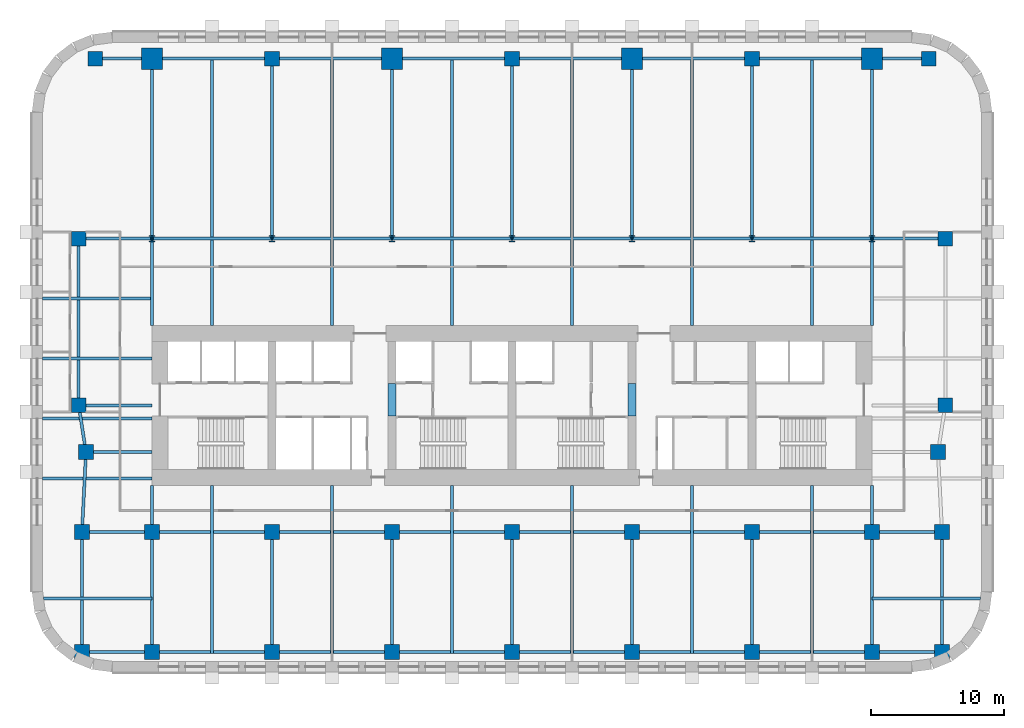
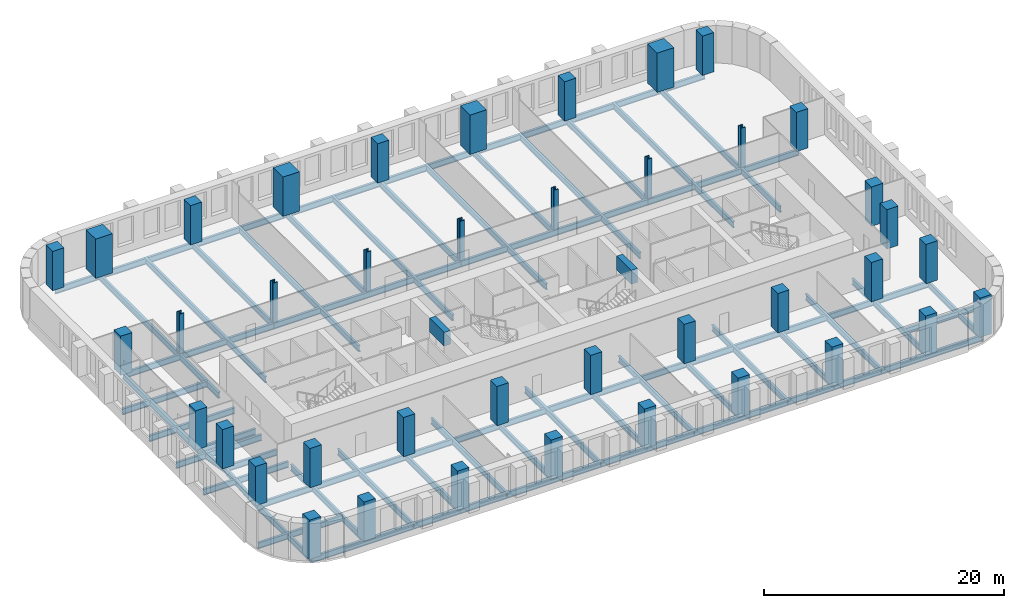
# One storey, part 1 of 11: 59 beams, 40 columns.
"""IFC4 building model written with IfcOpenShell, lengths in metres."""

from ifc_helpers import new_model, si_unit, direction, frame, origin, origin_2d, place, context, subcontext, project, spatial, rectangle, i_section, extrude, material, material_profile, profile_set, type_object, element, save


model = new_model("IFC4")

# Units and contexts
model_context = context("Model", 3, precision=1e-05, world=origin(), true_north=direction((0.0, 1.0)))
body_context = subcontext(model_context, "Body", "Model", "MODEL_VIEW")
ifc_project = project(units=[si_unit("LENGTHUNIT", "METRE"), si_unit("AREAUNIT", "SQUARE_METRE"), si_unit("VOLUMEUNIT", "CUBIC_METRE"), si_unit("PLANEANGLEUNIT", "RADIAN"), si_unit("MASSUNIT", "GRAM", prefix="KILO")], contexts=[model_context])

# Site, building, storey
site_placement = place(None, origin())
site = spatial("IfcSite", under=ifc_project, at=site_placement, CompositionType="ELEMENT")
building_placement = place(site_placement, origin())
building = spatial("IfcBuilding", under=site, at=building_placement, Name="Zellij Exchange Tower", CompositionType="ELEMENT")
storey_placement = place(building_placement, frame((0.0, 0.0, 72.5)))
storey = spatial("IfcBuildingStorey", under=building, at=storey_placement, Name="L14", CompositionType="ELEMENT", Elevation=72.5)

# Columns
ifc_material_1 = material(Name="Concrete C70/85", Category="concrete")
ifc_material_profile_1 = material_profile(ifc_material_1, rectangle(XDim=1.10009765625, YDim=1.10009765625, at=origin_2d()), Name="STR-COLUMN RC1100x1100 C70/85")
ifc_profile_set_1 = profile_set([ifc_material_profile_1], Name="Concrete C70/85")
column_type_1 = type_object("IfcColumnType", Name="STR-COLUMN RC1100x1100 C70/85", PredefinedType="COLUMN", material=ifc_profile_set_1)
for number, where, z_axis, x_axis, name in (
    (1, (-32.25, -26.5, 0.0), (0.0, 0.0, 1.0), (1.0, 0.0, 0.0), "C11"),
    (2, (-27.0, -26.5, 0.0), (0.0, 0.0, 1.0), (1.0, 0.0, 0.0), "C11"),
    (3, (-18.0, -26.5, 0.0), (0.0, 0.0, 1.0), (1.0, 0.0, 0.0), "C11"),
    (4, (-9.0, -26.5, 0.0), (0.0, 0.0, 1.0), (1.0, 0.0, 0.0), "C11"),
    (5, (0.0, -26.5, 0.0), (0.0, 0.0, 1.0), (1.0, 0.0, 0.0), "C11"),
    (6, (9.0, -26.5, 0.0), (0.0, 0.0, 1.0), (1.0, 0.0, 0.0), "C11"),
    (7, (18.0, -26.5, 0.0), (0.0, 0.0, 1.0), (1.0, 0.0, 0.0), "C11"),
    (8, (27.0, -26.5, 0.0), (0.0, 0.0, 1.0), (1.0, 0.0, 0.0), "C11"),
    (9, (32.25, -26.5, 0.0), (0.0, 0.0, 1.0), (1.0, 0.0, 0.0), "C11"),
    (10, (-32.25, -17.5, 0.0), (0.0, 0.0, 1.0), (1.0, 0.0, 0.0), "C11"),
    (11, (-27.0, -17.5, 0.0), (0.0, 0.0, 1.0), (1.0, 0.0, 0.0), "C11"),
    (12, (-18.0, -17.5, 0.0), (0.0, 0.0, 1.0), (1.0, 0.0, 0.0), "C11"),
    (13, (-9.0, -17.5, 0.0), (0.0, 0.0, 1.0), (1.0, 0.0, 0.0), "C11"),
    (14, (0.0, -17.5, 0.0), (0.0, 0.0, 1.0), (1.0, 0.0, 0.0), "C11"),
    (15, (9.0, -17.5, 0.0), (0.0, 0.0, 1.0), (1.0, 0.0, 0.0), "C11"),
    (16, (18.0, -17.5, 0.0), (0.0, 0.0, 1.0), (1.0, 0.0, 0.0), "C11"),
    (17, (27.0, -17.5, 0.0), (0.0, 0.0, 1.0), (1.0, 0.0, 0.0), "C11"),
    (18, (32.25, -17.5, 0.0), (0.0, 0.0, 1.0), (1.0, 0.0, 0.0), "C11"),
    (19, (-31.949951171875, -11.5, 0.0), (0.0, 0.0, 1.0), (1.0, 0.0, 0.0), "C11"),
    (20, (31.949951171875, -11.5, 0.0), (0.0, 0.0, 1.0), (1.0, 0.0, 0.0), "C11"),
    (21, (-32.5, -8.0, 0.0), (0.0, 0.0, 1.0), (1.0, 0.0, 0.0), "C11"),
    (22, (32.5, -8.0, 0.0), (0.0, 0.0, 1.0), (1.0, 0.0, 0.0), "C11"),
    (23, (-32.5, 4.5, 0.0), (0.0, 0.0, 1.0), (1.0, 0.0, 0.0), "C11"),
    (24, (32.5, 4.5, 0.0), (0.0, 0.0, 1.0), (1.0, 0.0, 0.0), "C11"),
    (25, (-31.25, 18.0, 0.0), (0.0, 0.0, 1.0), (1.0, 0.0, 0.0), "C11"),
    (26, (-18.0, 18.0, 0.0), (0.0, 0.0, 1.0), (1.0, 0.0, 0.0), "C11"),
    (27, (0.0, 18.0, 0.0), (0.0, 0.0, 1.0), (1.0, 0.0, 0.0), "C11"),
    (28, (18.0, 18.0, 0.0), (0.0, 0.0, 1.0), (1.0, 0.0, 0.0), "C11"),
    (29, (31.25, 18.0, 0.0), (0.0, 0.0, 1.0), (1.0, 0.0, 0.0), "C11"),
):
    element("IfcColumn", number, at=place(storey_placement, frame(where, z_axis=z_axis, x_axis=x_axis)), inside=storey, type_object=column_type_1, Name=name, PredefinedType="COLUMN", context=body_context, shape_type="SweptSolid", body=[
        extrude(rectangle(XDim=1.10009765625, YDim=1.10009765625, at=origin_2d()), origin(), (0.0, 0.0, 1.0), 4.0),
    ])
ifc_material_2 = material(Name="Structural steel ASTM A913 Gr 65", Category="steel")
ifc_material_profile_2 = material_profile(ifc_material_2, i_section(OverallWidth=0.431884765625, OverallDepth=0.497802734375, WebThickness=0.0556640625, FlangeThickness=0.0888671875, at=origin_2d()), Name="W14x500")
ifc_profile_set_2 = profile_set([ifc_material_profile_2], Name="Structural steel ASTM A913 Gr 65")
column_type_2 = type_object("IfcColumnType", Name="STR-COLUMN W14x500", PredefinedType="COLUMN", material=ifc_profile_set_2)
for number, where, z_axis, x_axis, name in (
    (30, (-27.0, 4.5, 0.0), (0.0, 0.0, 1.0), (1.0, 0.0, 0.0), "C5"),
    (31, (-18.0, 4.5, 0.0), (0.0, 0.0, 1.0), (1.0, 0.0, 0.0), "C5"),
    (32, (-9.0, 4.5, 0.0), (0.0, 0.0, 1.0), (1.0, 0.0, 0.0), "C5"),
    (33, (0.0, 4.5, 0.0), (0.0, 0.0, 1.0), (1.0, 0.0, 0.0), "C5"),
    (34, (9.0, 4.5, 0.0), (0.0, 0.0, 1.0), (1.0, 0.0, 0.0), "C5"),
    (35, (18.0, 4.5, 0.0), (0.0, 0.0, 1.0), (1.0, 0.0, 0.0), "C5"),
    (36, (27.0, 4.5, 0.0), (0.0, 0.0, 1.0), (1.0, 0.0, 0.0), "C5"),
):
    element("IfcColumn", number, at=place(storey_placement, frame(where, z_axis=z_axis, x_axis=x_axis)), inside=storey, type_object=column_type_2, Name=name, PredefinedType="COLUMN", context=body_context, shape_type="SweptSolid", body=[
        extrude(i_section(OverallWidth=0.431884765625, OverallDepth=0.497802734375, WebThickness=0.0556640625, FlangeThickness=0.0888671875, at=origin_2d()), origin(), (0.0, 0.0, 1.0), 4.0),
    ])
ifc_material_profile_3 = material_profile(ifc_material_1, rectangle(XDim=1.60009765625, YDim=1.60009765625, at=origin_2d()), Name="STR-MEGA COLUMN RC1600x1600 C70/85")
ifc_profile_set_3 = profile_set([ifc_material_profile_3], Name="Concrete C70/85")
column_type_3 = type_object("IfcColumnType", Name="STR-MEGA COLUMN RC1600x1600 C70/85", PredefinedType="COLUMN", material=ifc_profile_set_3)
for number, where, z_axis, x_axis, name in (
    (37, (-27.0, 18.0, 0.0), (0.0, 0.0, 1.0), (1.0, 0.0, 0.0), "MC6"),
    (38, (-9.0, 18.0, 0.0), (0.0, 0.0, 1.0), (1.0, 0.0, 0.0), "MC6"),
    (39, (9.0, 18.0, 0.0), (0.0, 0.0, 1.0), (1.0, 0.0, 0.0), "MC6"),
    (40, (27.0, 18.0, 0.0), (0.0, 0.0, 1.0), (1.0, 0.0, 0.0), "MC6"),
):
    element("IfcColumn", number, at=place(storey_placement, frame(where, z_axis=z_axis, x_axis=x_axis)), inside=storey, type_object=column_type_3, Name=name, PredefinedType="COLUMN", context=body_context, shape_type="SweptSolid", body=[
        extrude(rectangle(XDim=1.60009765625, YDim=1.60009765625, at=origin_2d()), origin(), (0.0, 0.0, 1.0), 4.0),
    ])

# Beams
ifc_material_profile_4 = material_profile(ifc_material_1, rectangle(XDim=0.60009765625, YDim=1.39990234375, at=origin_2d()), Name="CORE-CB 600x1400 C70/85")
ifc_profile_set_4 = profile_set([ifc_material_profile_4], Name="Concrete C70/85")
beam_type_1 = type_object("IfcBeamType", Name="CORE-CB 600x1400 C70/85", PredefinedType="BEAM", material=ifc_profile_set_4)
for number, where, z_axis, x_axis, name in (
    (41, (-9.0, -8.800048828125, 3.10009765625), (0.0, 1.0, 0.0), (-1.0, 0.0, 0.0), "Core coupling beam x -9 L14"),
    (42, (9.0, -8.800048828125, 3.10009765625), (0.0, 1.0, 0.0), (-1.0, 0.0, 0.0), "Core coupling beam x 9 L14"),
):
    element("IfcBeam", number, at=place(storey_placement, frame(where, z_axis=z_axis, x_axis=x_axis)), inside=storey, type_object=beam_type_1, Name=name, PredefinedType="BEAM", context=body_context, shape_type="SweptSolid", body=[
        extrude(rectangle(XDim=0.60009765625, YDim=1.39990234375, at=origin_2d()), origin(), (0.0, 0.0, 1.0), 2.425048828125),
    ])
ifc_material_3 = material(Name="Structural steel ASTM A992 Gr 50", Category="steel")
ifc_material_profile_5 = material_profile(ifc_material_3, i_section(OverallWidth=0.227783203125, OverallDepth=0.60205078125, WebThickness=0.010498046875, FlangeThickness=0.014892578125, at=origin_2d()), Name="W24x68")
ifc_profile_set_5 = profile_set([ifc_material_profile_5], Name="Structural steel ASTM A992 Gr 50")
beam_type_2 = type_object("IfcBeamType", Name="STR-BEAM W24x68", PredefinedType="BEAM", material=ifc_profile_set_5)
beam_1_placement = place(storey_placement, frame((-22.5, -26.614501953125, -0.5009765625), z_axis=(0.0, 1.0, 0.0), x_axis=(-1.0, 0.0, 0.0)))
element("IfcBeam", 43, at=beam_1_placement, inside=storey, type_object=beam_type_2, Name="B5", PredefinedType="BEAM", context=body_context, shape_type="SweptSolid", body=[
    extrude(i_section(OverallWidth=0.227783203125, OverallDepth=0.60205078125, WebThickness=0.010498046875, FlangeThickness=0.014892578125, at=origin_2d()), origin(), (0.0, 0.0, 1.0), 12.614501953125),
])
beam_2_placement = place(storey_placement, frame((-22.5, -2.0, -0.5009765625), z_axis=(0.0, 1.0, 0.0), x_axis=(-1.0, 0.0, 0.0)))
element("IfcBeam", 44, at=beam_2_placement, inside=storey, type_object=beam_type_2, Name="B5", PredefinedType="BEAM", context=body_context, shape_type="SweptSolid", body=[
    extrude(i_section(OverallWidth=0.227783203125, OverallDepth=0.60205078125, WebThickness=0.010498046875, FlangeThickness=0.014892578125, at=origin_2d()), origin(), (0.0, 0.0, 1.0), 20.114501953125),
])
beam_3_placement = place(storey_placement, frame((-13.5, -26.614501953125, -0.5009765625), z_axis=(0.0, 1.0, 0.0), x_axis=(-1.0, 0.0, 0.0)))
element("IfcBeam", 45, at=beam_3_placement, inside=storey, type_object=beam_type_2, Name="B5", PredefinedType="BEAM", context=body_context, shape_type="SweptSolid", body=[
    extrude(i_section(OverallWidth=0.227783203125, OverallDepth=0.60205078125, WebThickness=0.010498046875, FlangeThickness=0.014892578125, at=origin_2d()), origin(), (0.0, 0.0, 1.0), 12.614501953125),
])
beam_4_placement = place(storey_placement, frame((-13.5, -2.0, -0.5009765625), z_axis=(0.0, 1.0, 0.0), x_axis=(-1.0, 0.0, 0.0)))
element("IfcBeam", 46, at=beam_4_placement, inside=storey, type_object=beam_type_2, Name="B5", PredefinedType="BEAM", context=body_context, shape_type="SweptSolid", body=[
    extrude(i_section(OverallWidth=0.227783203125, OverallDepth=0.60205078125, WebThickness=0.010498046875, FlangeThickness=0.014892578125, at=origin_2d()), origin(), (0.0, 0.0, 1.0), 20.114501953125),
])
beam_5_placement = place(storey_placement, frame((-4.5, -26.614501953125, -0.5009765625), z_axis=(0.0, 1.0, 0.0), x_axis=(-1.0, 0.0, 0.0)))
element("IfcBeam", 47, at=beam_5_placement, inside=storey, type_object=beam_type_2, Name="B5", PredefinedType="BEAM", context=body_context, shape_type="SweptSolid", body=[
    extrude(i_section(OverallWidth=0.227783203125, OverallDepth=0.60205078125, WebThickness=0.010498046875, FlangeThickness=0.014892578125, at=origin_2d()), origin(), (0.0, 0.0, 1.0), 12.614501953125),
])
beam_6_placement = place(storey_placement, frame((-4.5, -2.0, -0.5009765625), z_axis=(0.0, 1.0, 0.0), x_axis=(-1.0, 0.0, 0.0)))
element("IfcBeam", 48, at=beam_6_placement, inside=storey, type_object=beam_type_2, Name="B5", PredefinedType="BEAM", context=body_context, shape_type="SweptSolid", body=[
    extrude(i_section(OverallWidth=0.227783203125, OverallDepth=0.60205078125, WebThickness=0.010498046875, FlangeThickness=0.014892578125, at=origin_2d()), origin(), (0.0, 0.0, 1.0), 20.114501953125),
])
beam_7_placement = place(storey_placement, frame((4.5, -26.614501953125, -0.5009765625), z_axis=(0.0, 1.0, 0.0), x_axis=(-1.0, 0.0, 0.0)))
element("IfcBeam", 49, at=beam_7_placement, inside=storey, type_object=beam_type_2, Name="B5", PredefinedType="BEAM", context=body_context, shape_type="SweptSolid", body=[
    extrude(i_section(OverallWidth=0.227783203125, OverallDepth=0.60205078125, WebThickness=0.010498046875, FlangeThickness=0.014892578125, at=origin_2d()), origin(), (0.0, 0.0, 1.0), 12.614501953125),
])
beam_8_placement = place(storey_placement, frame((4.5, -2.0, -0.5009765625), z_axis=(0.0, 1.0, 0.0), x_axis=(-1.0, 0.0, 0.0)))
element("IfcBeam", 50, at=beam_8_placement, inside=storey, type_object=beam_type_2, Name="B5", PredefinedType="BEAM", context=body_context, shape_type="SweptSolid", body=[
    extrude(i_section(OverallWidth=0.227783203125, OverallDepth=0.60205078125, WebThickness=0.010498046875, FlangeThickness=0.014892578125, at=origin_2d()), origin(), (0.0, 0.0, 1.0), 20.114501953125),
])
beam_9_placement = place(storey_placement, frame((13.5, -26.614501953125, -0.5009765625), z_axis=(0.0, 1.0, 0.0), x_axis=(-1.0, 0.0, 0.0)))
element("IfcBeam", 51, at=beam_9_placement, inside=storey, type_object=beam_type_2, Name="B5", PredefinedType="BEAM", context=body_context, shape_type="SweptSolid", body=[
    extrude(i_section(OverallWidth=0.227783203125, OverallDepth=0.60205078125, WebThickness=0.010498046875, FlangeThickness=0.014892578125, at=origin_2d()), origin(), (0.0, 0.0, 1.0), 12.614501953125),
])
beam_10_placement = place(storey_placement, frame((13.5, -2.0, -0.5009765625), z_axis=(0.0, 1.0, 0.0), x_axis=(-1.0, 0.0, 0.0)))
element("IfcBeam", 52, at=beam_10_placement, inside=storey, type_object=beam_type_2, Name="B5", PredefinedType="BEAM", context=body_context, shape_type="SweptSolid", body=[
    extrude(i_section(OverallWidth=0.227783203125, OverallDepth=0.60205078125, WebThickness=0.010498046875, FlangeThickness=0.014892578125, at=origin_2d()), origin(), (0.0, 0.0, 1.0), 20.114501953125),
])
beam_11_placement = place(storey_placement, frame((22.5, -26.614501953125, -0.5009765625), z_axis=(0.0, 1.0, 0.0), x_axis=(-1.0, 0.0, 0.0)))
element("IfcBeam", 53, at=beam_11_placement, inside=storey, type_object=beam_type_2, Name="B5", PredefinedType="BEAM", context=body_context, shape_type="SweptSolid", body=[
    extrude(i_section(OverallWidth=0.227783203125, OverallDepth=0.60205078125, WebThickness=0.010498046875, FlangeThickness=0.014892578125, at=origin_2d()), origin(), (0.0, 0.0, 1.0), 12.614501953125),
])
beam_12_placement = place(storey_placement, frame((22.5, -2.0, -0.5009765625), z_axis=(0.0, 1.0, 0.0), x_axis=(-1.0, 0.0, 0.0)))
element("IfcBeam", 54, at=beam_12_placement, inside=storey, type_object=beam_type_2, Name="B5", PredefinedType="BEAM", context=body_context, shape_type="SweptSolid", body=[
    extrude(i_section(OverallWidth=0.227783203125, OverallDepth=0.60205078125, WebThickness=0.010498046875, FlangeThickness=0.014892578125, at=origin_2d()), origin(), (0.0, 0.0, 1.0), 20.114501953125),
])
beam_13_placement = place(storey_placement, frame((-35.126953125, -22.5, -0.5009765625), z_axis=(1.0, 0.0, 0.0), x_axis=(0.0, 1.0, 0.0)))
element("IfcBeam", 55, at=beam_13_placement, inside=storey, type_object=beam_type_2, Name="B5", PredefinedType="BEAM", context=body_context, shape_type="SweptSolid", body=[
    extrude(i_section(OverallWidth=0.227783203125, OverallDepth=0.60205078125, WebThickness=0.010498046875, FlangeThickness=0.014892578125, at=origin_2d()), origin(), (0.0, 0.0, 1.0), 8.126953125),
])
for number, where, z_axis, x_axis, name in (
    (56, (-35.199951171875, -13.5, -0.5009765625), (1.0, 0.0, 0.0), (0.0, 1.0, 0.0), "B5"),
    (57, (-35.199951171875, -9.0, -0.5009765625), (1.0, 0.0, 0.0), (0.0, 1.0, 0.0), "B5"),
    (58, (-35.199951171875, -4.5, -0.5009765625), (1.0, 0.0, 0.0), (0.0, 1.0, 0.0), "B5"),
    (59, (-35.199951171875, 0.0, -0.5009765625), (1.0, 0.0, 0.0), (0.0, 1.0, 0.0), "B5"),
):
    element("IfcBeam", number, at=place(storey_placement, frame(where, z_axis=z_axis, x_axis=x_axis)), inside=storey, type_object=beam_type_2, Name=name, PredefinedType="BEAM", context=body_context, shape_type="SweptSolid", body=[
        extrude(i_section(OverallWidth=0.227783203125, OverallDepth=0.60205078125, WebThickness=0.010498046875, FlangeThickness=0.014892578125, at=origin_2d()), origin(), (0.0, 0.0, 1.0), 8.199951171875),
    ])
beam_14_placement = place(storey_placement, frame((27.0, -22.5, -0.5009765625), z_axis=(1.0, 0.0, 0.0), x_axis=(0.0, 1.0, 0.0)))
element("IfcBeam", 60, at=beam_14_placement, inside=storey, type_object=beam_type_2, Name="B5", PredefinedType="BEAM", context=body_context, shape_type="SweptSolid", body=[
    extrude(i_section(OverallWidth=0.227783203125, OverallDepth=0.60205078125, WebThickness=0.010498046875, FlangeThickness=0.014892578125, at=origin_2d()), origin(), (0.0, 0.0, 1.0), 8.126953125),
])
ifc_material_profile_6 = material_profile(ifc_material_3, i_section(OverallWidth=0.22900390625, OverallDepth=0.612060546875, WebThickness=0.011962890625, FlangeThickness=0.01953125, at=origin_2d()), Name="W24x84")
ifc_profile_set_6 = profile_set([ifc_material_profile_6], Name="Structural steel ASTM A992 Gr 50")
beam_type_3 = type_object("IfcBeamType", Name="STR-EDGE GIRDER W24x84", PredefinedType="BEAM", material=ifc_profile_set_6)
beam_15_placement = place(storey_placement, frame((-32.25, -26.5, -0.506103515625), z_axis=(0.0, 1.0, 0.0), x_axis=(-1.0, 0.0, 0.0)))
element("IfcBeam", 61, at=beam_15_placement, inside=storey, type_object=beam_type_3, Name="EB6", PredefinedType="BEAM", context=body_context, shape_type="SweptSolid", body=[
    extrude(i_section(OverallWidth=0.22900390625, OverallDepth=0.612060546875, WebThickness=0.011962890625, FlangeThickness=0.01953125, at=origin_2d()), origin(), (0.0, 0.0, 1.0), 9.0),
])
beam_16_placement = place(storey_placement, frame((-32.25, -17.5, -0.506103515625), z_axis=(0.049945724537, 0.998751933465, 0.0), x_axis=(-0.998751933465, 0.049945724537, 0.0)))
element("IfcBeam", 62, at=beam_16_placement, inside=storey, type_object=beam_type_3, Name="EB6", PredefinedType="BEAM", context=body_context, shape_type="SweptSolid", body=[
    extrude(i_section(OverallWidth=0.22900390625, OverallDepth=0.612060546875, WebThickness=0.011962890625, FlangeThickness=0.01953125, at=origin_2d()), origin(), (0.0, 0.0, 1.0), 6.007568359375),
])
beam_17_placement = place(storey_placement, frame((-31.949951171875, -11.5, -0.506103515625), z_axis=(-0.155251283593, 0.987875011802, 0.0), x_axis=(-0.987875011802, -0.155251283593, 0.0)))
element("IfcBeam", 63, at=beam_17_placement, inside=storey, type_object=beam_type_3, Name="EB6", PredefinedType="BEAM", context=body_context, shape_type="SweptSolid", body=[
    extrude(i_section(OverallWidth=0.22900390625, OverallDepth=0.612060546875, WebThickness=0.011962890625, FlangeThickness=0.01953125, at=origin_2d()), origin(), (0.0, 0.0, 1.0), 3.54296875),
])
beam_18_placement = place(storey_placement, frame((-32.5, -8.0, -0.506103515625), z_axis=(0.0, 1.0, 0.0), x_axis=(-1.0, 0.0, 0.0)))
element("IfcBeam", 64, at=beam_18_placement, inside=storey, type_object=beam_type_3, Name="EB6", PredefinedType="BEAM", context=body_context, shape_type="SweptSolid", body=[
    extrude(i_section(OverallWidth=0.22900390625, OverallDepth=0.612060546875, WebThickness=0.011962890625, FlangeThickness=0.01953125, at=origin_2d()), origin(), (0.0, 0.0, 1.0), 12.5),
])
beam_19_placement = place(storey_placement, frame((32.25, -26.5, -0.506103515625), z_axis=(0.0, 1.0, 0.0), x_axis=(-1.0, 0.0, 0.0)))
element("IfcBeam", 65, at=beam_19_placement, inside=storey, type_object=beam_type_3, Name="EB6", PredefinedType="BEAM", context=body_context, shape_type="SweptSolid", body=[
    extrude(i_section(OverallWidth=0.22900390625, OverallDepth=0.612060546875, WebThickness=0.011962890625, FlangeThickness=0.01953125, at=origin_2d()), origin(), (0.0, 0.0, 1.0), 9.0),
])
ifc_material_profile_7 = material_profile(ifc_material_3, i_section(OverallWidth=0.22900390625, OverallDepth=0.612060546875, WebThickness=0.011962890625, FlangeThickness=0.01953125, at=origin_2d()), Name="W24x84")
ifc_profile_set_7 = profile_set([ifc_material_profile_7], Name="Structural steel ASTM A992 Gr 50")
beam_type_4 = type_object("IfcBeamType", Name="STR-GIRDER W24x84", PredefinedType="BEAM", material=ifc_profile_set_7)
beam_20_placement = place(storey_placement, frame((-32.25, -26.5, -0.506103515625), z_axis=(1.0, 0.0, 0.0), x_axis=(0.0, 1.0, 0.0)))
element("IfcBeam", 66, at=beam_20_placement, inside=storey, type_object=beam_type_4, Name="G4", PredefinedType="BEAM", context=body_context, shape_type="SweptSolid", body=[
    extrude(i_section(OverallWidth=0.22900390625, OverallDepth=0.612060546875, WebThickness=0.011962890625, FlangeThickness=0.01953125, at=origin_2d()), origin(), (0.0, 0.0, 1.0), 14.25),
])
for number, where, z_axis, x_axis, name in (
    (67, (-18.0, -26.5, -0.506103515625), (1.0, 0.0, 0.0), (0.0, 1.0, 0.0), "G4"),
    (68, (0.0, -26.5, -0.506103515625), (1.0, 0.0, 0.0), (0.0, 1.0, 0.0), "G4"),
):
    element("IfcBeam", number, at=place(storey_placement, frame(where, z_axis=z_axis, x_axis=x_axis)), inside=storey, type_object=beam_type_4, Name=name, PredefinedType="BEAM", context=body_context, shape_type="SweptSolid", body=[
        extrude(i_section(OverallWidth=0.22900390625, OverallDepth=0.612060546875, WebThickness=0.011962890625, FlangeThickness=0.01953125, at=origin_2d()), origin(), (0.0, 0.0, 1.0), 18.0),
    ])
for number, where, z_axis, x_axis, name in (
    (69, (18.0, -26.5, -0.506103515625), (1.0, 0.0, 0.0), (0.0, 1.0, 0.0), "G4"),
    (70, (-32.25, -17.5, -0.506103515625), (1.0, 0.0, 0.0), (0.0, 1.0, 0.0), "G4"),
):
    element("IfcBeam", number, at=place(storey_placement, frame(where, z_axis=z_axis, x_axis=x_axis)), inside=storey, type_object=beam_type_4, Name=name, PredefinedType="BEAM", context=body_context, shape_type="SweptSolid", body=[
        extrude(i_section(OverallWidth=0.22900390625, OverallDepth=0.612060546875, WebThickness=0.011962890625, FlangeThickness=0.01953125, at=origin_2d()), origin(), (0.0, 0.0, 1.0), 14.25),
    ])
for number, where, z_axis, x_axis, name in (
    (71, (-18.0, -17.5, -0.506103515625), (1.0, 0.0, 0.0), (0.0, 1.0, 0.0), "G4"),
    (72, (0.0, -17.5, -0.506103515625), (1.0, 0.0, 0.0), (0.0, 1.0, 0.0), "G4"),
):
    element("IfcBeam", number, at=place(storey_placement, frame(where, z_axis=z_axis, x_axis=x_axis)), inside=storey, type_object=beam_type_4, Name=name, PredefinedType="BEAM", context=body_context, shape_type="SweptSolid", body=[
        extrude(i_section(OverallWidth=0.22900390625, OverallDepth=0.612060546875, WebThickness=0.011962890625, FlangeThickness=0.01953125, at=origin_2d()), origin(), (0.0, 0.0, 1.0), 18.0),
    ])
beam_21_placement = place(storey_placement, frame((18.0, -17.5, -0.506103515625), z_axis=(1.0, 0.0, 0.0), x_axis=(0.0, 1.0, 0.0)))
element("IfcBeam", 73, at=beam_21_placement, inside=storey, type_object=beam_type_4, Name="G4", PredefinedType="BEAM", context=body_context, shape_type="SweptSolid", body=[
    extrude(i_section(OverallWidth=0.22900390625, OverallDepth=0.612060546875, WebThickness=0.011962890625, FlangeThickness=0.01953125, at=origin_2d()), origin(), (0.0, 0.0, 1.0), 14.25),
])
beam_22_placement = place(storey_placement, frame((-31.949951171875, -11.5, -0.506103515625), z_axis=(1.0, 0.0, 0.0), x_axis=(0.0, 1.0, 0.0)))
element("IfcBeam", 74, at=beam_22_placement, inside=storey, type_object=beam_type_4, Name="G4", PredefinedType="BEAM", context=body_context, shape_type="SweptSolid", body=[
    extrude(i_section(OverallWidth=0.22900390625, OverallDepth=0.612060546875, WebThickness=0.011962890625, FlangeThickness=0.01953125, at=origin_2d()), origin(), (0.0, 0.0, 1.0), 4.949951171875),
])
beam_23_placement = place(storey_placement, frame((-32.5, -8.0, -0.506103515625), z_axis=(1.0, 0.0, 0.0), x_axis=(0.0, 1.0, 0.0)))
element("IfcBeam", 75, at=beam_23_placement, inside=storey, type_object=beam_type_4, Name="G4", PredefinedType="BEAM", context=body_context, shape_type="SweptSolid", body=[
    extrude(i_section(OverallWidth=0.22900390625, OverallDepth=0.612060546875, WebThickness=0.011962890625, FlangeThickness=0.01953125, at=origin_2d()), origin(), (0.0, 0.0, 1.0), 5.5),
])
beam_24_placement = place(storey_placement, frame((-32.5, 4.5, -0.506103515625), z_axis=(1.0, 0.0, 0.0), x_axis=(0.0, 1.0, 0.0)))
element("IfcBeam", 76, at=beam_24_placement, inside=storey, type_object=beam_type_4, Name="G4", PredefinedType="BEAM", context=body_context, shape_type="SweptSolid", body=[
    extrude(i_section(OverallWidth=0.22900390625, OverallDepth=0.612060546875, WebThickness=0.011962890625, FlangeThickness=0.01953125, at=origin_2d()), origin(), (0.0, 0.0, 1.0), 14.5),
])
for number, where, z_axis, x_axis, name in (
    (77, (-18.0, 4.5, -0.506103515625), (1.0, 0.0, 0.0), (0.0, 1.0, 0.0), "G4"),
    (78, (0.0, 4.5, -0.506103515625), (1.0, 0.0, 0.0), (0.0, 1.0, 0.0), "G4"),
):
    element("IfcBeam", number, at=place(storey_placement, frame(where, z_axis=z_axis, x_axis=x_axis)), inside=storey, type_object=beam_type_4, Name=name, PredefinedType="BEAM", context=body_context, shape_type="SweptSolid", body=[
        extrude(i_section(OverallWidth=0.22900390625, OverallDepth=0.612060546875, WebThickness=0.011962890625, FlangeThickness=0.01953125, at=origin_2d()), origin(), (0.0, 0.0, 1.0), 18.0),
    ])
beam_25_placement = place(storey_placement, frame((18.0, 4.5, -0.506103515625), z_axis=(1.0, 0.0, 0.0), x_axis=(0.0, 1.0, 0.0)))
element("IfcBeam", 79, at=beam_25_placement, inside=storey, type_object=beam_type_4, Name="G4", PredefinedType="BEAM", context=body_context, shape_type="SweptSolid", body=[
    extrude(i_section(OverallWidth=0.22900390625, OverallDepth=0.612060546875, WebThickness=0.011962890625, FlangeThickness=0.01953125, at=origin_2d()), origin(), (0.0, 0.0, 1.0), 14.5),
])
beam_26_placement = place(storey_placement, frame((-31.25, 18.0, -0.506103515625), z_axis=(1.0, 0.0, 0.0), x_axis=(0.0, 1.0, 0.0)))
element("IfcBeam", 80, at=beam_26_placement, inside=storey, type_object=beam_type_4, Name="G4", PredefinedType="BEAM", context=body_context, shape_type="SweptSolid", body=[
    extrude(i_section(OverallWidth=0.22900390625, OverallDepth=0.612060546875, WebThickness=0.011962890625, FlangeThickness=0.01953125, at=origin_2d()), origin(), (0.0, 0.0, 1.0), 13.25),
])
for number, where, z_axis, x_axis, name in (
    (81, (-18.0, 18.0, -0.506103515625), (1.0, 0.0, 0.0), (0.0, 1.0, 0.0), "G4"),
    (82, (0.0, 18.0, -0.506103515625), (1.0, 0.0, 0.0), (0.0, 1.0, 0.0), "G4"),
):
    element("IfcBeam", number, at=place(storey_placement, frame(where, z_axis=z_axis, x_axis=x_axis)), inside=storey, type_object=beam_type_4, Name=name, PredefinedType="BEAM", context=body_context, shape_type="SweptSolid", body=[
        extrude(i_section(OverallWidth=0.22900390625, OverallDepth=0.612060546875, WebThickness=0.011962890625, FlangeThickness=0.01953125, at=origin_2d()), origin(), (0.0, 0.0, 1.0), 18.0),
    ])
beam_27_placement = place(storey_placement, frame((18.0, 18.0, -0.506103515625), z_axis=(1.0, 0.0, 0.0), x_axis=(0.0, 1.0, 0.0)))
element("IfcBeam", 83, at=beam_27_placement, inside=storey, type_object=beam_type_4, Name="G4", PredefinedType="BEAM", context=body_context, shape_type="SweptSolid", body=[
    extrude(i_section(OverallWidth=0.22900390625, OverallDepth=0.612060546875, WebThickness=0.011962890625, FlangeThickness=0.01953125, at=origin_2d()), origin(), (0.0, 0.0, 1.0), 13.25),
])
beam_28_placement = place(storey_placement, frame((-27.0, -26.5, -0.506103515625), z_axis=(0.0, 1.0, 0.0), x_axis=(-1.0, 0.0, 0.0)))
element("IfcBeam", 84, at=beam_28_placement, inside=storey, type_object=beam_type_4, Name="G4", PredefinedType="BEAM", context=body_context, shape_type="SweptSolid", body=[
    extrude(i_section(OverallWidth=0.22900390625, OverallDepth=0.612060546875, WebThickness=0.011962890625, FlangeThickness=0.01953125, at=origin_2d()), origin(), (0.0, 0.0, 1.0), 12.5),
])
beam_29_placement = place(storey_placement, frame((-27.0, -2.0, -0.506103515625), z_axis=(0.0, 1.0, 0.0), x_axis=(-1.0, 0.0, 0.0)))
element("IfcBeam", 85, at=beam_29_placement, inside=storey, type_object=beam_type_4, Name="G4", PredefinedType="BEAM", context=body_context, shape_type="SweptSolid", body=[
    extrude(i_section(OverallWidth=0.22900390625, OverallDepth=0.612060546875, WebThickness=0.011962890625, FlangeThickness=0.01953125, at=origin_2d()), origin(), (0.0, 0.0, 1.0), 6.5),
])
beam_30_placement = place(storey_placement, frame((-27.0, 4.5, -0.506103515625), z_axis=(0.0, 1.0, 0.0), x_axis=(-1.0, 0.0, 0.0)))
element("IfcBeam", 86, at=beam_30_placement, inside=storey, type_object=beam_type_4, Name="G4", PredefinedType="BEAM", context=body_context, shape_type="SweptSolid", body=[
    extrude(i_section(OverallWidth=0.22900390625, OverallDepth=0.612060546875, WebThickness=0.011962890625, FlangeThickness=0.01953125, at=origin_2d()), origin(), (0.0, 0.0, 1.0), 13.5),
])
beam_31_placement = place(storey_placement, frame((-18.0, -26.5, -0.506103515625), z_axis=(0.0, 1.0, 0.0), x_axis=(-1.0, 0.0, 0.0)))
element("IfcBeam", 87, at=beam_31_placement, inside=storey, type_object=beam_type_4, Name="G4", PredefinedType="BEAM", context=body_context, shape_type="SweptSolid", body=[
    extrude(i_section(OverallWidth=0.22900390625, OverallDepth=0.612060546875, WebThickness=0.011962890625, FlangeThickness=0.01953125, at=origin_2d()), origin(), (0.0, 0.0, 1.0), 9.0),
])
beam_32_placement = place(storey_placement, frame((-18.0, 4.5, -0.506103515625), z_axis=(0.0, 1.0, 0.0), x_axis=(-1.0, 0.0, 0.0)))
element("IfcBeam", 88, at=beam_32_placement, inside=storey, type_object=beam_type_4, Name="G4", PredefinedType="BEAM", context=body_context, shape_type="SweptSolid", body=[
    extrude(i_section(OverallWidth=0.22900390625, OverallDepth=0.612060546875, WebThickness=0.011962890625, FlangeThickness=0.01953125, at=origin_2d()), origin(), (0.0, 0.0, 1.0), 13.5),
])
beam_33_placement = place(storey_placement, frame((-9.0, -26.5, -0.506103515625), z_axis=(0.0, 1.0, 0.0), x_axis=(-1.0, 0.0, 0.0)))
element("IfcBeam", 89, at=beam_33_placement, inside=storey, type_object=beam_type_4, Name="G4", PredefinedType="BEAM", context=body_context, shape_type="SweptSolid", body=[
    extrude(i_section(OverallWidth=0.22900390625, OverallDepth=0.612060546875, WebThickness=0.011962890625, FlangeThickness=0.01953125, at=origin_2d()), origin(), (0.0, 0.0, 1.0), 9.0),
])
beam_34_placement = place(storey_placement, frame((-9.0, 4.5, -0.506103515625), z_axis=(0.0, 1.0, 0.0), x_axis=(-1.0, 0.0, 0.0)))
element("IfcBeam", 90, at=beam_34_placement, inside=storey, type_object=beam_type_4, Name="G4", PredefinedType="BEAM", context=body_context, shape_type="SweptSolid", body=[
    extrude(i_section(OverallWidth=0.22900390625, OverallDepth=0.612060546875, WebThickness=0.011962890625, FlangeThickness=0.01953125, at=origin_2d()), origin(), (0.0, 0.0, 1.0), 13.5),
])
beam_35_placement = place(storey_placement, frame((0.0, -26.5, -0.506103515625), z_axis=(0.0, 1.0, 0.0), x_axis=(-1.0, 0.0, 0.0)))
element("IfcBeam", 91, at=beam_35_placement, inside=storey, type_object=beam_type_4, Name="G4", PredefinedType="BEAM", context=body_context, shape_type="SweptSolid", body=[
    extrude(i_section(OverallWidth=0.22900390625, OverallDepth=0.612060546875, WebThickness=0.011962890625, FlangeThickness=0.01953125, at=origin_2d()), origin(), (0.0, 0.0, 1.0), 9.0),
])
beam_36_placement = place(storey_placement, frame((0.0, 4.5, -0.506103515625), z_axis=(0.0, 1.0, 0.0), x_axis=(-1.0, 0.0, 0.0)))
element("IfcBeam", 92, at=beam_36_placement, inside=storey, type_object=beam_type_4, Name="G4", PredefinedType="BEAM", context=body_context, shape_type="SweptSolid", body=[
    extrude(i_section(OverallWidth=0.22900390625, OverallDepth=0.612060546875, WebThickness=0.011962890625, FlangeThickness=0.01953125, at=origin_2d()), origin(), (0.0, 0.0, 1.0), 13.5),
])
beam_37_placement = place(storey_placement, frame((9.0, -26.5, -0.506103515625), z_axis=(0.0, 1.0, 0.0), x_axis=(-1.0, 0.0, 0.0)))
element("IfcBeam", 93, at=beam_37_placement, inside=storey, type_object=beam_type_4, Name="G4", PredefinedType="BEAM", context=body_context, shape_type="SweptSolid", body=[
    extrude(i_section(OverallWidth=0.22900390625, OverallDepth=0.612060546875, WebThickness=0.011962890625, FlangeThickness=0.01953125, at=origin_2d()), origin(), (0.0, 0.0, 1.0), 9.0),
])
beam_38_placement = place(storey_placement, frame((9.0, 4.5, -0.506103515625), z_axis=(0.0, 1.0, 0.0), x_axis=(-1.0, 0.0, 0.0)))
element("IfcBeam", 94, at=beam_38_placement, inside=storey, type_object=beam_type_4, Name="G4", PredefinedType="BEAM", context=body_context, shape_type="SweptSolid", body=[
    extrude(i_section(OverallWidth=0.22900390625, OverallDepth=0.612060546875, WebThickness=0.011962890625, FlangeThickness=0.01953125, at=origin_2d()), origin(), (0.0, 0.0, 1.0), 13.5),
])
beam_39_placement = place(storey_placement, frame((18.0, -26.5, -0.506103515625), z_axis=(0.0, 1.0, 0.0), x_axis=(-1.0, 0.0, 0.0)))
element("IfcBeam", 95, at=beam_39_placement, inside=storey, type_object=beam_type_4, Name="G4", PredefinedType="BEAM", context=body_context, shape_type="SweptSolid", body=[
    extrude(i_section(OverallWidth=0.22900390625, OverallDepth=0.612060546875, WebThickness=0.011962890625, FlangeThickness=0.01953125, at=origin_2d()), origin(), (0.0, 0.0, 1.0), 9.0),
])
beam_40_placement = place(storey_placement, frame((18.0, 4.5, -0.506103515625), z_axis=(0.0, 1.0, 0.0), x_axis=(-1.0, 0.0, 0.0)))
element("IfcBeam", 96, at=beam_40_placement, inside=storey, type_object=beam_type_4, Name="G4", PredefinedType="BEAM", context=body_context, shape_type="SweptSolid", body=[
    extrude(i_section(OverallWidth=0.22900390625, OverallDepth=0.612060546875, WebThickness=0.011962890625, FlangeThickness=0.01953125, at=origin_2d()), origin(), (0.0, 0.0, 1.0), 13.5),
])
beam_41_placement = place(storey_placement, frame((27.0, -26.5, -0.506103515625), z_axis=(0.0, 1.0, 0.0), x_axis=(-1.0, 0.0, 0.0)))
element("IfcBeam", 97, at=beam_41_placement, inside=storey, type_object=beam_type_4, Name="G4", PredefinedType="BEAM", context=body_context, shape_type="SweptSolid", body=[
    extrude(i_section(OverallWidth=0.22900390625, OverallDepth=0.612060546875, WebThickness=0.011962890625, FlangeThickness=0.01953125, at=origin_2d()), origin(), (0.0, 0.0, 1.0), 12.5),
])
beam_42_placement = place(storey_placement, frame((27.0, -2.0, -0.506103515625), z_axis=(0.0, 1.0, 0.0), x_axis=(-1.0, 0.0, 0.0)))
element("IfcBeam", 98, at=beam_42_placement, inside=storey, type_object=beam_type_4, Name="G4", PredefinedType="BEAM", context=body_context, shape_type="SweptSolid", body=[
    extrude(i_section(OverallWidth=0.22900390625, OverallDepth=0.612060546875, WebThickness=0.011962890625, FlangeThickness=0.01953125, at=origin_2d()), origin(), (0.0, 0.0, 1.0), 6.5),
])
beam_43_placement = place(storey_placement, frame((27.0, 4.5, -0.506103515625), z_axis=(0.0, 1.0, 0.0), x_axis=(-1.0, 0.0, 0.0)))
element("IfcBeam", 99, at=beam_43_placement, inside=storey, type_object=beam_type_4, Name="G4", PredefinedType="BEAM", context=body_context, shape_type="SweptSolid", body=[
    extrude(i_section(OverallWidth=0.22900390625, OverallDepth=0.612060546875, WebThickness=0.011962890625, FlangeThickness=0.01953125, at=origin_2d()), origin(), (0.0, 0.0, 1.0), 13.5),
])

save(model, "model.ifc")
